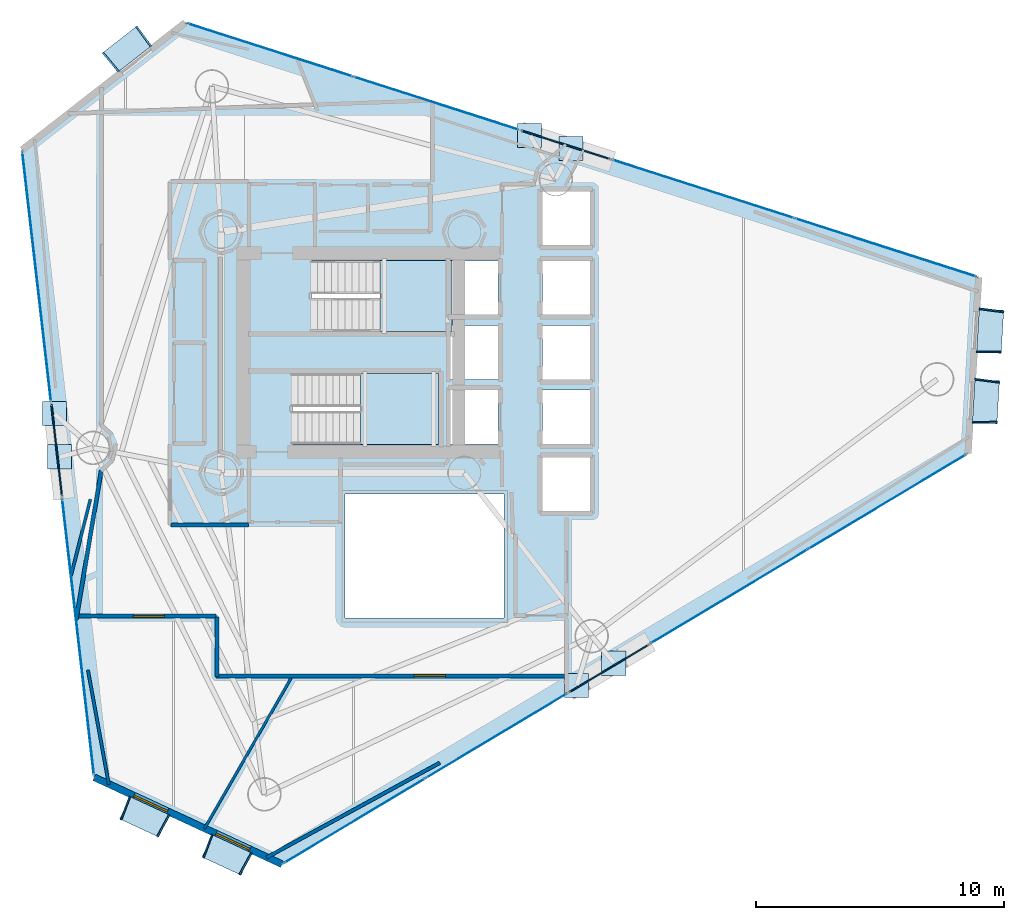
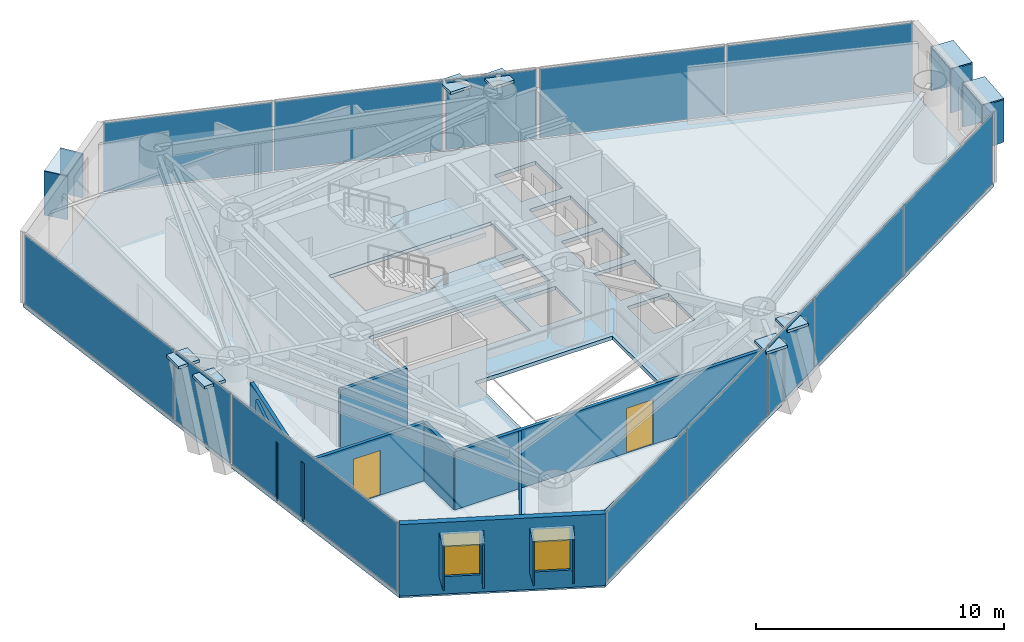
# One storey, part 17 of 22: 34 plates, 10 walls, 3 slabs, 2 doors, 2 windows, 4 openings, 11 elements without a shape of their own.
"""IFC4 building model written with IfcOpenShell, lengths in metres."""

import ifcopenshell
import ifcopenshell.guid

model = None  # the IFC model being written
_history = None  # IfcOwnerHistory: only IFC2X3 demands one
_inside = {}  # id of a spatial element -> (the spatial element, [elements in it])
_under = {}  # id of a project, library or spatial element -> (it, [spatial elements below it])
_declared = {}  # id of a project -> (the project, [libraries it declares])
_typed = {}  # id of a type object -> (the type object, [elements of that type])
_made_of = {}  # id of a material, layer set ... -> (it, [elements and type objects made of it])


def new_model(schema):
    """Start an empty IFC model of exactly this schema.

    Asked for "IFC4X3", IfcOpenShell would pick the latest addendum, in which some entities
    have other attributes; the version numbers below select the first issue.
    IFC2X3 requires an IfcOwnerHistory on every rooted entity: one is made here for all.
    """
    global model, _history
    if schema == "IFC4X3":
        model = ifcopenshell.file(schema_version=(4, 3, 0, 0))
    else:
        model = ifcopenshell.file(schema=schema)
    _inside.clear()
    _under.clear()
    _declared.clear()
    _typed.clear()
    _made_of.clear()
    _history = None
    if model.schema == "IFC2X3":
        org = make("IfcOrganization", Name="unknown")
        user = make(
            "IfcPersonAndOrganization",
            ThePerson=make("IfcPerson", FamilyName="unknown"),
            TheOrganization=org,
        )
        app = make(
            "IfcApplication",
            ApplicationDeveloper=org,
            Version="unknown",
            ApplicationFullName="unknown",
            ApplicationIdentifier="unknown",
        )
        _history = make(
            "IfcOwnerHistory",
            OwningUser=user,
            OwningApplication=app,
            ChangeAction="ADDED",
            CreationDate=0,
        )
    return model


def make(cls, **values):
    """One entity of the class cls with the attributes given. An attribute that is None is left unset."""
    return model.create_entity(
        cls, **{name: value for name, value in values.items() if value is not None}
    )


def rooted(cls, **values):
    """An entity with a GlobalId (a new one), such as an element, a storey or a relation."""
    return make(cls, GlobalId=ifcopenshell.guid.new(), OwnerHistory=_history, **values)


def si_unit(unit_type, name, prefix=None):
    """IfcSIUnit, for example si_unit("LENGTHUNIT", "METRE", prefix="MILLI")."""
    return make("IfcSIUnit", UnitType=unit_type, Prefix=prefix, Name=name)


def assignment(units):
    """IfcUnitAssignment: the units of a project."""
    return None if units is None else make("IfcUnitAssignment", Units=units)


def point(xyz):
    """IfcCartesianPoint."""
    return None if xyz is None else make("IfcCartesianPoint", Coordinates=xyz)


def direction(xyz):
    """IfcDirection."""
    return None if xyz is None else make("IfcDirection", DirectionRatios=xyz)


def frame(location, z_axis=None, x_axis=None):
    """IfcAxis2Placement3D, a coordinate frame: its origin and axes. An axis left out is left unset."""
    return make(
        "IfcAxis2Placement3D",
        Location=point(location),
        Axis=direction(z_axis),
        RefDirection=direction(x_axis),
    )


def frame_2d(location, x_axis=None):
    """IfcAxis2Placement2D, a coordinate frame in the plane: its origin and x axis."""
    return make(
        "IfcAxis2Placement2D", Location=point(location), RefDirection=direction(x_axis)
    )


def origin():
    """The frame at (0, 0, 0) with its axes left unset."""
    return frame((0.0, 0.0, 0.0))


def origin_2d():
    """The frame at (0, 0) in the plane with its x axis left unset."""
    return frame_2d((0.0, 0.0))


def place(relative_to, where):
    """IfcLocalPlacement: puts the frame where relative to a parent placement (None: the world)."""
    return make(
        "IfcLocalPlacement", PlacementRelTo=relative_to, RelativePlacement=where
    )


def context(
    kind, dimensions, precision=None, world=None, true_north=None, identifier=None
):
    """IfcGeometricRepresentationContext, for example the 3D "Model" context."""
    return make(
        "IfcGeometricRepresentationContext",
        ContextIdentifier=identifier,
        ContextType=kind,
        CoordinateSpaceDimension=dimensions,
        Precision=precision,
        WorldCoordinateSystem=world,
        TrueNorth=true_north,
    )


def subcontext(parent, identifier, kind, view, scale=None):
    """IfcGeometricRepresentationSubContext, for example "Body" below "Model"."""
    return make(
        "IfcGeometricRepresentationSubContext",
        ContextIdentifier=identifier,
        ContextType=kind,
        ParentContext=parent,
        TargetScale=scale,
        TargetView=view,
    )


def project(units=None, contexts=None):
    """IfcProject with its units and contexts."""
    return rooted(
        "IfcProject",
        Name="project",
        RepresentationContexts=contexts,
        UnitsInContext=assignment(units),
    )


def spatial(cls, under=None, at=None, **own):
    """A site, building, storey or space (cls), placed at a placement, below another one or the project."""
    s = rooted(cls, ObjectPlacement=at, **own)
    if under is not None:
        _under.setdefault(under.id(), (under, []))[1].append(s)
    return s


def polyline(points):
    """IfcPolyline through the points."""
    return make("IfcPolyline", Points=[point(p) for p in points])


def profile(cls, at=None, kind="AREA", **sizes):
    """A parametric profile (cls). Its sizes go by their IFC names, for example OverallWidth=200.0."""
    return make(cls, ProfileType=kind, Position=at, **sizes)


def rectangle(**sizes):
    """IfcRectangleProfileDef."""
    return profile("IfcRectangleProfileDef", **sizes)


def outline(outer, holes=None, kind="AREA"):
    """IfcArbitraryClosedProfileDef: a profile drawn as a closed curve; with holes, ...WithVoids."""
    if holes is None:
        return make("IfcArbitraryClosedProfileDef", ProfileType=kind, OuterCurve=outer)
    return make(
        "IfcArbitraryProfileDefWithVoids",
        ProfileType=kind,
        OuterCurve=outer,
        InnerCurves=holes,
    )


def extrude(swept, where, along, depth):
    """IfcExtrudedAreaSolid: the profile swept, set in the frame where, extruded along a direction by depth."""
    return make(
        "IfcExtrudedAreaSolid",
        SweptArea=swept,
        Position=where,
        ExtrudedDirection=direction(along),
        Depth=depth,
    )


def shape(context_of_items, identifier, shape_type, items):
    """IfcShapeRepresentation: the items that make up one representation, for example the "Body"."""
    return make(
        "IfcShapeRepresentation",
        ContextOfItems=context_of_items,
        RepresentationIdentifier=identifier,
        RepresentationType=shape_type,
        Items=items,
    )


def material(Name=None, Category=None):
    """IfcMaterial."""
    return make("IfcMaterial", Name=Name, Category=Category)


def layer(
    of_material, thickness, ventilated=None, Name=None, Category=None, Priority=None
):
    """IfcMaterialLayer: one layer of a wall or slab, of a material (None: an air gap)."""
    return make(
        "IfcMaterialLayer",
        Material=of_material,
        LayerThickness=thickness,
        IsVentilated=ventilated,
        Name=Name,
        Category=Category,
        Priority=Priority,
    )


def layer_set(layers, Name=None):
    """IfcMaterialLayerSet."""
    return make("IfcMaterialLayerSet", MaterialLayers=layers, LayerSetName=Name)


def made_of(thing, what):
    """Note that an element or type object is made of a material, layer set ...; save() writes the relation."""
    if what is not None:
        _made_of.setdefault(what.id(), (what, []))[1].append(thing)
    return thing


def type_object(cls, material=None, **own):
    """A type object (cls), such as IfcWallType, which elements share."""
    return made_of(rooted(cls, **own), material)


def element(
    cls,
    number,
    at=None,
    inside=None,
    cuts=None,
    type_object=None,
    material=None,
    context=None,
    identifier="Body",
    shape_type=None,
    held_by="IfcProductDefinitionShape",
    body=None,
    shapes=None,
    **own,
):
    """One element of the class cls, such as IfcWall. Its Tag is "e" and its number.

    at: its placement. inside: the storey or other place that contains it. cuts: it is an
    opening in that element (IfcRelVoidsElement). A single representation is given by context,
    identifier, shape_type and body (its items); several are given by shapes. held_by: the class
    of the entity that holds the representations. save() writes the other relations.
    """
    e = rooted(cls, Tag="e%d" % number, ObjectPlacement=at, **own)
    if body is not None:
        shapes = [shape(context, identifier, shape_type, body)]
    if shapes is not None:
        e.Representation = make(held_by, Representations=shapes)
    if inside is not None:
        _inside.setdefault(inside.id(), (inside, []))[1].append(e)
    if cuts is not None:
        rooted(
            "IfcRelVoidsElement", RelatingBuildingElement=cuts, RelatedOpeningElement=e
        )
    if type_object is not None:
        _typed.setdefault(type_object.id(), (type_object, []))[1].append(e)
    return made_of(e, material)


def fill(opening, filler):
    """IfcRelFillsElement: the door or window that sits in an opening."""
    return rooted(
        "IfcRelFillsElement",
        RelatingOpeningElement=opening,
        RelatedBuildingElement=filler,
    )


def aggregate(whole, parts):
    """IfcRelAggregates: a whole, such as a stair, and the parts it consists of."""
    return rooted("IfcRelAggregates", RelatingObject=whole, RelatedObjects=parts)


def save(model, path):
    """Write the relations noted so far, then the file.

    IfcRelAggregates (storeys below a building ...), IfcRelContainedInSpatialStructure (elements
    in a storey), IfcRelDefinesByType, IfcRelAssociatesMaterial and IfcRelDeclares: one each for
    every whole, place, type object, material and project.
    """
    for whole, parts in _under.values():
        aggregate(whole, parts)
    for where, things in _inside.values():
        rooted(
            "IfcRelContainedInSpatialStructure",
            RelatedElements=things,
            RelatingStructure=where,
        )
    for kind, things in _typed.values():
        rooted("IfcRelDefinesByType", RelatedObjects=things, RelatingType=kind)
    for what, things in _made_of.values():
        rooted("IfcRelAssociatesMaterial", RelatedObjects=things, RelatingMaterial=what)
    for by, libraries in _declared.values():
        rooted("IfcRelDeclares", RelatingContext=by, RelatedDefinitions=libraries)
    model.write(path)


model = new_model("IFC4")

# Units and contexts
model_context = context("Model", 3, precision=1e-05, world=origin(), true_north=direction((0.0, 1.0)))
body_context = subcontext(model_context, "Body", "Model", "MODEL_VIEW")
ifc_project = project(units=[si_unit("LENGTHUNIT", "METRE"), si_unit("AREAUNIT", "SQUARE_METRE"), si_unit("VOLUMEUNIT", "CUBIC_METRE"), si_unit("PLANEANGLEUNIT", "RADIAN"), si_unit("MASSUNIT", "GRAM", prefix="KILO")], contexts=[model_context])

# Site, building, storey
site_placement = place(None, origin())
site = spatial("IfcSite", under=ifc_project, at=site_placement, CompositionType="ELEMENT")
building_placement = place(site_placement, origin())
building = spatial("IfcBuilding", under=site, at=building_placement, Name="Qianvela Tower", CompositionType="ELEMENT")
storey_placement = place(building_placement, frame((0.0, 0.0, 173.5)))
storey = spatial("IfcBuildingStorey", under=building, at=storey_placement, Name="L44", CompositionType="ELEMENT", Elevation=173.5)

# Curtain wall, plate
ifc_material_1 = material(Name="Anodised Architectural Aluminium and Insulated Spandrel Panel", Category="aluminium")
ifc_layer_1 = layer(ifc_material_1, 0.179931640625)
ifc_layer_set_1 = layer_set([ifc_layer_1], Name="Anodised Architectural Aluminium and Insulated Spandrel Panel")
curtain_wall_type_1 = type_object("IfcCurtainWallType", Name="CW-BRACEBAY", PredefinedType="USERDEFINED", material=ifc_layer_set_1)
curtain_wall_1_placement = place(storey_placement, origin())
curtain_wall_1 = element("IfcCurtainWall", 1, at=curtain_wall_1_placement, inside=storey, type_object=curtain_wall_type_1, Name="L44 CW-BRACEBAY Curtain Wall 02B", ObjectType="CURTAIN_WALL_SYSTEM", PredefinedType="USERDEFINED")
ifc_material_2 = material(Name="Insulated Aluminium Spandrel Panel with Mineral-Wool Backpan", Category="aluminium")
ifc_layer_2 = layer(ifc_material_2, 0.06005859375)
ifc_layer_set_2 = layer_set([ifc_layer_2], Name="Insulated Aluminium Spandrel Panel with Mineral-Wool Backpan")
plate_type_1 = type_object("IfcPlateType", Name="CW-BRACEBAY-PNL", PredefinedType="CURTAIN_PANEL", material=ifc_layer_set_2)
plate_1_placement = place(storey_placement, frame((42.47607421875, 37.06005859375, 0.06494140625), z_axis=(0.0, 0.0, 1.0), x_axis=(-0.95216638575, 0.305580061272, 0.0)))
plate_1 = element("IfcPlate", 2, at=plate_1_placement, type_object=plate_type_1, Name="CW-9 panel 1.1", PredefinedType="CURTAIN_PANEL", context=body_context, shape_type="SweptSolid", body=[
    extrude(rectangle(XDim=3.739990234375, YDim=0.06005859375, at=origin_2d()), origin(), (0.0, 0.0, 1.0), 3.389892578125),
])
aggregate(curtain_wall_1, [plate_1])

curtain_wall_2_placement = place(storey_placement, origin())
curtain_wall_2 = element("IfcCurtainWall", 3, at=curtain_wall_2_placement, inside=storey, type_object=curtain_wall_type_1, Name="L44 CW-BRACEBAY Curtain Wall 04B", ObjectType="CURTAIN_WALL_SYSTEM", PredefinedType="USERDEFINED")
plate_2_placement = place(storey_placement, frame((21.983642578125, 24.76513671875, 0.06494140625), z_axis=(0.0, 0.0, 1.0), x_axis=(0.114243553211, -0.993452772179, 0.0)))
plate_2 = element("IfcPlate", 4, at=plate_2_placement, type_object=plate_type_1, Name="CW-9 panel 1.1", PredefinedType="CURTAIN_PANEL", context=body_context, shape_type="SweptSolid", body=[
    extrude(rectangle(XDim=3.7099609375, YDim=0.06005859375, at=origin_2d()), origin(), (0.0, 0.0, 1.0), 3.389892578125),
])
aggregate(curtain_wall_2, [plate_2])

curtain_wall_3_placement = place(storey_placement, origin())
curtain_wall_3 = element("IfcCurtainWall", 5, at=curtain_wall_3_placement, inside=storey, type_object=curtain_wall_type_1, Name="L44 CW-BRACEBAY Curtain Wall 06B", ObjectType="CURTAIN_WALL_SYSTEM", PredefinedType="USERDEFINED")
plate_3_placement = place(storey_placement, frame((44.220947265625, 15.977294921875, 0.06494140625), z_axis=(0.0, 0.0, 1.0), x_axis=(0.857953335146, 0.51372762697, 0.0)))
plate_3 = element("IfcPlate", 6, at=plate_3_placement, type_object=plate_type_1, Name="CW-9 panel 1.1", PredefinedType="CURTAIN_PANEL", context=body_context, shape_type="SweptSolid", body=[
    extrude(rectangle(XDim=3.699951171875, YDim=0.06005859375, at=origin_2d()), origin(), (0.0, 0.0, 1.0), 3.389892578125),
])
aggregate(curtain_wall_3, [plate_3])

# Curtain wall, plates
ifc_material_3 = material(Name="Anodised Architectural Aluminium and Low-E Glass", Category="aluminium")
ifc_layer_3 = layer(ifc_material_3, 0.169921875)
ifc_layer_set_3 = layer_set([ifc_layer_3], Name="Anodised Architectural Aluminium and Low-E Glass")
curtain_wall_type_2 = type_object("IfcCurtainWallType", Name="CW-COLIV-Z34", PredefinedType="USERDEFINED", material=ifc_layer_set_3)
curtain_wall_4_placement = place(storey_placement, origin())
curtain_wall_4 = element("IfcCurtainWall", 7, at=curtain_wall_4_placement, inside=storey, type_object=curtain_wall_type_2, Name="L44 CW-COLIV-Z34 Curtain Wall 02A", ObjectType="CURTAIN_WALL_SYSTEM", PredefinedType="USERDEFINED")
ifc_material_4 = material(Name="Double-Silver Low-E Insulated Glass", Category="glass")
ifc_layer_4 = layer(ifc_material_4, 0.028076171875)
ifc_layer_set_4 = layer_set([ifc_layer_4], Name="Double-Silver Low-E Insulated Glass")
plate_type_2 = type_object("IfcPlateType", Name="CW-COLIV-Z34-PNL", PredefinedType="CURTAIN_PANEL", material=ifc_layer_set_4)
plate_4_placement = place(storey_placement, frame((55.357666015625, 32.926025390625, 0.06494140625), z_axis=(0.0, 0.0, 1.0), x_axis=(-0.952167662126, 0.305576084145, 0.0)))
plate_4 = element("IfcPlate", 8, at=plate_4_placement, type_object=plate_type_2, Name="CW-4 panel 1.1", PredefinedType="CURTAIN_PANEL", context=body_context, shape_type="SweptSolid", body=[
    extrude(rectangle(XDim=7.642578125, YDim=0.028076171875, at=origin_2d()), origin(), (0.0, 0.0, 1.0), 3.389892578125),
])
plate_5_placement = place(storey_placement, frame((48.01904296875, 35.28125, 0.06494140625), z_axis=(0.0, 0.0, 1.0), x_axis=(-0.952167662126, 0.305576084145, 0.0)))
plate_5 = element("IfcPlate", 9, at=plate_5_placement, type_object=plate_type_2, Name="CW-4 panel 2.1", PredefinedType="CURTAIN_PANEL", context=body_context, shape_type="SweptSolid", body=[
    extrude(rectangle(XDim=7.642578125, YDim=0.028076171875, at=origin_2d()), origin(), (0.0, 0.0, 1.0), 3.389892578125),
])
aggregate(curtain_wall_4, [plate_4, plate_5])

curtain_wall_5_placement = place(storey_placement, origin())
curtain_wall_5 = element("IfcCurtainWall", 10, at=curtain_wall_5_placement, inside=storey, type_object=curtain_wall_type_2, Name="L44 CW-COLIV-Z34 Curtain Wall 02C", ObjectType="CURTAIN_WALL_SYSTEM", PredefinedType="USERDEFINED")
plate_6_placement = place(storey_placement, frame((37.261474609375, 38.733642578125, 0.06494140625), z_axis=(0.0, 0.0, 1.0), x_axis=(-0.952166738862, 0.305578960999, 0.0)))
plate_6 = element("IfcPlate", 11, at=plate_6_placement, type_object=plate_type_2, Name="CW-4 panel 1.1", PredefinedType="CURTAIN_PANEL", context=body_context, shape_type="SweptSolid", body=[
    extrude(rectangle(XDim=6.953125, YDim=0.028076171875, at=origin_2d()), origin(), (0.0, 0.0, 1.0), 3.389892578125),
])
plate_7_placement = place(storey_placement, frame((30.5791015625, 40.878173828125, 0.06494140625), z_axis=(0.0, 0.0, 1.0), x_axis=(-0.952166738862, 0.305578960999, 0.0)))
plate_7 = element("IfcPlate", 12, at=plate_7_placement, type_object=plate_type_2, Name="CW-4 panel 2.1", PredefinedType="CURTAIN_PANEL", context=body_context, shape_type="SweptSolid", body=[
    extrude(rectangle(XDim=6.953125, YDim=0.028076171875, at=origin_2d()), origin(), (0.0, 0.0, 1.0), 3.389892578125),
])
aggregate(curtain_wall_5, [plate_6, plate_7])

# Curtain wall, plate
curtain_wall_6_placement = place(storey_placement, origin())
curtain_wall_6 = element("IfcCurtainWall", 13, at=curtain_wall_6_placement, inside=storey, type_object=curtain_wall_type_2, Name="L44 CW-COLIV-Z34 Curtain Wall 04A", ObjectType="CURTAIN_WALL_SYSTEM", PredefinedType="USERDEFINED")
plate_8_placement = place(storey_placement, frame((21.181640625, 31.7392578125, 0.06494140625), z_axis=(0.0, 0.0, 1.0), x_axis=(0.114245281235, -0.993452573461, 0.0)))
plate_8 = element("IfcPlate", 14, at=plate_8_placement, type_object=plate_type_2, Name="CW-4 panel 1.1", PredefinedType="CURTAIN_PANEL", context=body_context, shape_type="SweptSolid", body=[
    extrude(rectangle(XDim=10.070068359375, YDim=0.028076171875, at=origin_2d()), origin(), (0.0, 0.0, 1.0), 3.389892578125),
])
aggregate(curtain_wall_6, [plate_8])

curtain_wall_7_placement = place(storey_placement, origin())
curtain_wall_7 = element("IfcCurtainWall", 15, at=curtain_wall_7_placement, inside=storey, type_object=curtain_wall_type_2, Name="L44 CW-COLIV-Z34 Curtain Wall 04C", ObjectType="CURTAIN_WALL_SYSTEM", PredefinedType="USERDEFINED")
plate_9_placement = place(storey_placement, frame((22.847900390625, 17.248779296875, 0.06494140625), z_axis=(0.0, 0.0, 1.0), x_axis=(0.114242914909, -0.993452845581, 0.0)))
plate_9 = element("IfcPlate", 16, at=plate_9_placement, type_object=plate_type_2, Name="CW-4 panel 1.1", PredefinedType="CURTAIN_PANEL", context=body_context, shape_type="SweptSolid", body=[
    extrude(rectangle(XDim=11.16162109375, YDim=0.028076171875, at=origin_2d()), origin(), (0.0, 0.0, 1.0), 3.389892578125),
])
aggregate(curtain_wall_7, [plate_9])

# Curtain wall, plates
curtain_wall_8_placement = place(storey_placement, origin())
curtain_wall_8 = element("IfcCurtainWall", 17, at=curtain_wall_8_placement, inside=storey, type_object=curtain_wall_type_2, Name="L44 CW-COLIV-Z34 Curtain Wall 06A", ObjectType="CURTAIN_WALL_SYSTEM", PredefinedType="USERDEFINED")
plate_10_placement = place(storey_placement, frame((33.982421875, 9.8466796875, 0.06494140625), z_axis=(0.0, 0.0, 1.0), x_axis=(0.85794695813, 0.513738276787, 0.0)))
plate_10 = element("IfcPlate", 18, at=plate_10_placement, type_object=plate_type_2, Name="CW-4 panel 1.1", PredefinedType="CURTAIN_PANEL", context=body_context, shape_type="SweptSolid", body=[
    extrude(rectangle(XDim=6.592529296875, YDim=0.028076171875, at=origin_2d()), origin(), (0.0, 0.0, 1.0), 3.389892578125),
])
plate_11_placement = place(storey_placement, frame((39.694091796875, 13.266845703125, 0.06494140625), z_axis=(0.0, 0.0, 1.0), x_axis=(0.85794695813, 0.513738276787, 0.0)))
plate_11 = element("IfcPlate", 19, at=plate_11_placement, type_object=plate_type_2, Name="CW-4 panel 2.1", PredefinedType="CURTAIN_PANEL", context=body_context, shape_type="SweptSolid", body=[
    extrude(rectangle(XDim=6.592529296875, YDim=0.028076171875, at=origin_2d()), origin(), (0.0, 0.0, 1.0), 3.389892578125),
])
aggregate(curtain_wall_8, [plate_10, plate_11])

curtain_wall_9_placement = place(storey_placement, origin())
curtain_wall_9 = element("IfcCurtainWall", 20, at=curtain_wall_9_placement, inside=storey, type_object=curtain_wall_type_2, Name="L44 CW-COLIV-Z34 Curtain Wall 06C", ObjectType="CURTAIN_WALL_SYSTEM", PredefinedType="USERDEFINED")
plate_12_placement = place(storey_placement, frame((49.0703125, 18.881103515625, 0.06494140625), z_axis=(0.0, 0.0, 1.0), x_axis=(0.857948464109, 0.513735761782, 0.0)))
plate_12 = element("IfcPlate", 21, at=plate_12_placement, type_object=plate_type_2, Name="CW-4 panel 1.1", PredefinedType="CURTAIN_PANEL", context=body_context, shape_type="SweptSolid", body=[
    extrude(rectangle(XDim=7.344482421875, YDim=0.028076171875, at=origin_2d()), origin(), (0.0, 0.0, 1.0), 3.389892578125),
])
plate_13_placement = place(storey_placement, frame((55.42724609375, 22.687744140625, 0.06494140625), z_axis=(0.0, 0.0, 1.0), x_axis=(0.857948464109, 0.513735761782, 0.0)))
plate_13 = element("IfcPlate", 22, at=plate_13_placement, type_object=plate_type_2, Name="CW-4 panel 2.1", PredefinedType="CURTAIN_PANEL", context=body_context, shape_type="SweptSolid", body=[
    extrude(rectangle(XDim=7.344482421875, YDim=0.028076171875, at=origin_2d()), origin(), (0.0, 0.0, 1.0), 3.389892578125),
])
aggregate(curtain_wall_9, [plate_12, plate_13])

# Plates
ifc_material_5 = material(Name="Steel Q420GJC", Category="steel")
ifc_layer_5 = layer(ifc_material_5, 0.1298828125)
ifc_layer_set_5 = layer_set([ifc_layer_5], Name="Steel Q420GJC")
plate_type_3 = type_object("IfcPlateType", Name="PT-ENDCAP-130", PredefinedType="USERDEFINED", material=ifc_layer_set_5)
for number, where, z_axis, x_axis, name in (
    (23, (42.690185546875, 36.907470703125, 3.20947265625), (0.0, 0.0, 1.0), (1.0, 0.0, 0.0), "L44 Hollow Section End Cap Plate B"),
    (24, (41.021240234375, 37.443115234375, 3.20947265625), (0.0, 0.0, 1.0), (1.0, 0.0, 0.0), "L44 Hollow Section End Cap Plate B"),
    (25, (21.89404296875, 26.2431640625, 3.209716796875), (0.0, 0.0, 1.0), (1.0, 0.0, 0.0), "L44 Hollow Section End Cap Plate B"),
    (26, (22.09423828125, 24.501953125, 3.209716796875), (0.0, 0.0, 1.0), (1.0, 0.0, 0.0), "L44 Hollow Section End Cap Plate B"),
    (27, (42.909423828125, 15.285400390625, 3.209716796875), (0.0, 0.0, 1.0), (1.0, 0.0, 0.0), "L44 Hollow Section End Cap Plate B"),
    (28, (44.4130859375, 16.185791015625, 3.209716796875), (0.0, 0.0, 1.0), (1.0, 0.0, 0.0), "L44 Hollow Section End Cap Plate B"),
):
    element("IfcPlate", number, at=place(storey_placement, frame(where, z_axis=z_axis, x_axis=x_axis)), inside=storey, type_object=plate_type_3, Name=name, ObjectType="END_CAP", PredefinedType="USERDEFINED", context=body_context, shape_type="SweptSolid", body=[
        extrude(rectangle(XDim=0.969970703125, YDim=0.969970703125, at=origin_2d()), origin(), (0.0, 0.0, 1.0), 0.1298828125),
    ])

# Slab
ifc_material_6 = material(Name="Concrete C40", Category="concrete")
ifc_layer_6 = layer(ifc_material_6, 0.179931640625)
ifc_layer_set_6 = layer_set([ifc_layer_6], Name="Concrete C40")
slab_type_1 = type_object("IfcSlabType", Name="SL-FLOOR-180", PredefinedType="FLOOR", material=ifc_layer_set_6)
slab_1_placement = place(storey_placement, frame((0.0, 0.0, -0.179931640625)))
element("IfcSlab", 29, at=slab_1_placement, inside=storey, type_object=slab_type_1, Name="L44 Composite Structural Floor Slab", PredefinedType="FLOOR", context=body_context, shape_type="SweptSolid", body=[
    extrude(outline(polyline([(58.676513671875, 24.63330078125), (59.105712890625, 31.72314453125), (27.159423828125, 41.9755859375), (20.59326171875, 36.85546875), (23.49853515625, 11.590087890625), (31.0556640625, 8.093994140625), (58.676513671875, 24.63330078125)]), holes=[polyline([(40.0, 23.0), (33.60009765625, 23.0), (33.60009765625, 18.0), (40.0, 18.0), (40.0, 23.0)]), polyline([(39.760009765625, 27.179931640625), (37.840087890625, 27.179931640625), (37.840087890625, 25.02001953125), (39.760009765625, 25.02001953125), (39.760009765625, 27.179931640625)]), polyline([(37.35009765625, 27.860107421875), (31.469970703125, 27.860107421875), (31.469970703125, 25.0), (37.35009765625, 25.0), (37.35009765625, 27.860107421875)]), polyline([(37.840087890625, 27.6201171875), (39.760009765625, 27.6201171875), (39.760009765625, 29.780029296875), (37.89990234375, 29.780029296875), (37.89990234375, 30.219970703125), (39.760009765625, 30.219970703125), (39.760009765625, 32.3798828125), (37.89990234375, 32.3798828125), (37.89990234375, 32.39990234375), (32.25, 32.39990234375), (32.25, 29.5400390625), (37.840087890625, 29.5400390625), (37.840087890625, 27.6201171875)]), polyline([(43.4599609375, 22.320068359375), (43.4599609375, 24.47998046875), (41.5400390625, 24.47998046875), (41.5400390625, 22.320068359375), (43.4599609375, 22.320068359375)]), polyline([(43.4599609375, 25.02001953125), (43.4599609375, 27.179931640625), (41.5400390625, 27.179931640625), (41.5400390625, 25.02001953125), (43.4599609375, 25.02001953125)]), polyline([(43.4599609375, 29.780029296875), (41.5400390625, 29.780029296875), (41.5400390625, 27.6201171875), (43.4599609375, 27.6201171875), (43.4599609375, 29.780029296875)]), polyline([(43.4599609375, 30.219970703125), (43.4599609375, 32.3798828125), (41.5400390625, 32.3798828125), (41.5400390625, 30.219970703125), (43.4599609375, 30.219970703125)]), polyline([(43.4599609375, 33.02001953125), (43.4599609375, 35.179931640625), (41.5400390625, 35.179931640625), (41.5400390625, 33.02001953125), (43.4599609375, 33.02001953125)])]), origin(), (0.0, 0.0, 1.0), 0.179931640625),
])

# Stair, slab
ifc_material_7 = material(Name="Concrete C40", Category="concrete")
stair_type = type_object("IfcStairType", Name="ST-DOGLEG-1350-R168-N22", PredefinedType="HALF_TURN_STAIR", material=ifc_material_7)
stair_1_placement = place(storey_placement, origin())
stair_1 = element("IfcStair", 30, at=stair_1_placement, inside=storey, type_object=stair_type, Name="L44 Smoke-Proof Core Stair ST-1", PredefinedType="HALF_TURN_STAIR")
ifc_material_8 = material(Name="Concrete C40", Category="concrete")
ifc_layer_7 = layer(ifc_material_8, 0.199951171875)
ifc_layer_set_7 = layer_set([ifc_layer_7], Name="Concrete C40")
slab_type_2 = type_object("IfcSlabType", Name="SL-STAIR-LANDING-200", PredefinedType="LANDING", material=ifc_layer_set_7)
slab_2_placement = place(storey_placement, frame((0.0, 0.0, 1.64990234375)))
slab_2 = element("IfcSlab", 31, at=slab_2_placement, type_object=slab_type_2, Name="ST-1 landing 1", PredefinedType="LANDING", context=body_context, shape_type="SweptSolid", body=[
    extrude(outline(polyline([(35.0, 29.5400390625), (37.89990234375, 29.5400390625), (37.89990234375, 32.39990234375), (35.0, 32.39990234375), (35.0, 29.5400390625)])), origin(), (0.0, 0.0, 1.0), 0.2001953125),
])
aggregate(stair_1, [slab_2])

stair_2_placement = place(storey_placement, origin())
stair_2 = element("IfcStair", 32, at=stair_2_placement, inside=storey, type_object=stair_type, Name="L44 Smoke-Proof Core Stair ST-2", PredefinedType="HALF_TURN_STAIR")
slab_3_placement = place(storey_placement, frame((0.0, 0.0, 1.64990234375)))
slab_3 = element("IfcSlab", 33, at=slab_3_placement, type_object=slab_type_2, Name="ST-2 landing 1", PredefinedType="LANDING", context=body_context, shape_type="SweptSolid", body=[
    extrude(outline(polyline([(34.219970703125, 25.0), (37.35009765625, 25.0), (37.35009765625, 27.860107421875), (34.219970703125, 27.860107421875), (34.219970703125, 25.0)])), origin(), (0.0, 0.0, 1.0), 0.2001953125),
])
aggregate(stair_2, [slab_3])

# Plates
ifc_material_9 = material(Name="Vitrified Architectural Terracotta Panel", Category="masonry")
ifc_layer_8 = layer(ifc_material_9, 0.06005859375)
ifc_layer_set_8 = layer_set([ifc_layer_8], Name="Vitrified Architectural Terracotta Panel")
plate_type_4 = type_object("IfcPlateType", Name="TERRACOTTA-SUNSHADE-HOOD-FOLD-A", PredefinedType="USERDEFINED", material=ifc_layer_set_8)
for number, where, z_axis, x_axis, name in (
    (34, (59.399169921875, 26.724365234375, 2.9599609375), (0.0, 0.0, 1.0), (0.060412670231, 0.998173486562, 0.0), "L44 Terracotta Sunshade Hood FOLD-A"),
    (35, (59.57080078125, 29.560302734375, 2.9599609375), (0.0, 0.0, 1.0), (0.060412670231, 0.998173486562, 0.0), "L44 Terracotta Sunshade Hood FOLD-A"),
    (36, (25.515869140625, 10.00146484375, 2.9599609375), (0.0, 0.0, 1.0), (0.907584112531, -0.41987031174, 0.0), "L44 Terracotta Sunshade Hood FOLD-A"),
    (37, (28.8291015625, 8.468505859375, 2.9599609375), (0.0, 0.0, 1.0), (0.907584112531, -0.41987031174, 0.0), "L44 Terracotta Sunshade Hood FOLD-A"),
):
    element("IfcPlate", number, at=place(storey_placement, frame(where, z_axis=z_axis, x_axis=x_axis)), inside=storey, type_object=plate_type_4, Name=name, ObjectType="SUNSHADE", PredefinedType="USERDEFINED", context=body_context, shape_type="SweptSolid", body=[
        extrude(rectangle(XDim=1.739990234375, YDim=0.989990234375, at=origin_2d()), origin(), (0.0, 0.0, 1.0), 0.06005859375),
    ])
ifc_material_10 = material(Name="Vitrified Architectural Terracotta Panel", Category="masonry")
ifc_layer_9 = layer(ifc_material_10, 0.070068359375)
ifc_layer_set_9 = layer_set([ifc_layer_9], Name="Vitrified Architectural Terracotta Panel")
plate_type_5 = type_object("IfcPlateType", Name="TERRACOTTA-SUNSHADE-HOOD-FOLD-C", PredefinedType="USERDEFINED", material=ifc_layer_set_9)
plate_14_placement = place(storey_placement, frame((24.82373046875, 40.908935546875, 2.9599609375), z_axis=(0.0, 0.0, 1.0), x_axis=(-0.78859065081, -0.614918519362, 0.0)))
element("IfcPlate", 38, at=plate_14_placement, inside=storey, type_object=plate_type_5, Name="L44 Terracotta Sunshade Hood FOLD-C", ObjectType="SUNSHADE", PredefinedType="USERDEFINED", context=body_context, shape_type="SweptSolid", body=[
    extrude(rectangle(XDim=1.739990234375, YDim=0.989990234375, at=origin_2d()), origin(), (0.0, 0.0, 1.0), 0.06005859375),
])
ifc_material_11 = material(Name="Vitrified Architectural Terracotta Side Fin Panel", Category="masonry")
ifc_layer_10 = layer(ifc_material_11, 0.06494140625)
ifc_layer_set_10 = layer_set([ifc_layer_10], Name="Vitrified Architectural Terracotta Side Fin Panel")
plate_type_6 = type_object("IfcPlateType", Name="TERRACOTTA-SUNSHADE-STRUT-FOLD-A", PredefinedType="USERDEFINED", material=ifc_layer_set_10)
for number, where, z_axis, x_axis, name in (
    (39, (59.348388671875, 25.885986328125, 0.85009765625), (0.0, 0.0, 1.0), (-0.009363554605, 0.999956160962, 0.0), "L44 Terracotta Sunshade Side Fin HL FOLD-A"),
    (40, (59.449951171875, 27.56298828125, 0.85009765625), (0.0, 0.0, 1.0), (0.12989457061, 0.991527811272, 0.0), "L44 Terracotta Sunshade Side Fin HR FOLD-A"),
    (41, (59.52001953125, 28.7216796875, 0.85009765625), (0.0, 0.0, 1.0), (-0.009363554605, 0.999956160962, 0.0), "L44 Terracotta Sunshade Side Fin HL FOLD-A"),
    (42, (59.62158203125, 30.398681640625, 0.85009765625), (0.0, 0.0, 1.0), (0.12989457061, 0.991527811272, 0.0), "L44 Terracotta Sunshade Side Fin HR FOLD-A"),
    (43, (24.75341796875, 10.35400390625, 0.85009765625), (0.0, 0.0, 1.0), (0.934661955625, -0.355537661447, 0.0), "L44 Terracotta Sunshade Side Fin HL FOLD-A"),
    (44, (26.2783203125, 9.648681640625, 0.85009765625), (0.0, 0.0, 1.0), (0.876084610871, -0.48215739608, 0.0), "L44 Terracotta Sunshade Side Fin HR FOLD-A"),
    (45, (28.06689453125, 8.8212890625, 0.85009765625), (0.0, 0.0, 1.0), (0.934661955625, -0.355537661447, 0.0), "L44 Terracotta Sunshade Side Fin HL FOLD-A"),
    (46, (29.591552734375, 8.115966796875, 0.85009765625), (0.0, 0.0, 1.0), (0.876084610871, -0.48215739608, 0.0), "L44 Terracotta Sunshade Side Fin HR FOLD-A"),
):
    element("IfcPlate", number, at=place(storey_placement, frame(where, z_axis=z_axis, x_axis=x_axis)), inside=storey, type_object=plate_type_6, Name=name, ObjectType="SUNSHADE", PredefinedType="USERDEFINED", context=body_context, shape_type="SweptSolid", body=[
        extrude(rectangle(XDim=0.06494140625, YDim=1.010009765625, at=origin_2d()), origin(), (0.0, 0.0, 1.0), 2.159912109375),
    ])
ifc_material_12 = material(Name="Vitrified Architectural Terracotta Side Fin Panel", Category="masonry")
ifc_layer_11 = layer(ifc_material_12, 0.074951171875)
ifc_layer_set_11 = layer_set([ifc_layer_11], Name="Vitrified Architectural Terracotta Side Fin Panel")
plate_type_7 = type_object("IfcPlateType", Name="TERRACOTTA-SUNSHADE-STRUT-FOLD-C", PredefinedType="USERDEFINED", material=ifc_layer_set_11)
for number, where, z_axis, x_axis, name in (
    (47, (25.486083984375, 41.42529296875, 0.85009765625), (0.0, 0.0, 1.0), (-0.809570609532, -0.587022510797, 0.0), "L44 Terracotta Sunshade Side Fin HL FOLD-C"),
    (48, (24.161376953125, 40.392333984375, 0.85009765625), (0.0, 0.0, 1.0), (-0.766649915854, -0.642065344432, 0.0), "L44 Terracotta Sunshade Side Fin HR FOLD-C"),
):
    element("IfcPlate", number, at=place(storey_placement, frame(where, z_axis=z_axis, x_axis=x_axis)), inside=storey, type_object=plate_type_7, Name=name, ObjectType="SUNSHADE", PredefinedType="USERDEFINED", context=body_context, shape_type="SweptSolid", body=[
        extrude(rectangle(XDim=0.074951171875, YDim=1.010009765625, at=origin_2d()), origin(), (0.0, 0.0, 1.0), 2.159912109375),
    ])

# Wall, openings, windows
ifc_material_13 = material(Name="Terracotta Cladding on Concrete C40", Category="masonry")
ifc_layer_12 = layer(ifc_material_13, 0.280029296875)
ifc_layer_set_12 = layer_set([ifc_layer_12], Name="Terracotta Cladding on Concrete C40")
wall_type_1 = type_object("IfcWallType", Name="TERRACOTTA-WALL-280", PredefinedType="SOLIDWALL", material=ifc_layer_set_12)
wall_1_placement = place(storey_placement, frame((23.49853515625, 11.590087890625, 0.0), z_axis=(0.0, 0.0, 1.0), x_axis=(0.907584865188, -0.419868684806, 0.0)))
wall_1 = element("IfcWall", 49, at=wall_1_placement, inside=storey, type_object=wall_type_1, Name="L44 Terracotta Chamfer Facet Wall 5", PredefinedType="SOLIDWALL", context=body_context, shape_type="SweptSolid", body=[
    extrude(rectangle(XDim=8.32666015625, YDim=0.280029296875, at=frame_2d((4.163330078125, 0.0))), origin(), (0.0, 0.0, 1.0), 3.52001953125),
])
opening_1_placement = place(wall_1_placement, frame((1.748046875, 0.0, 0.85009765625)))
opening_1 = element("IfcOpeningElement", 50, at=opening_1_placement, cuts=wall_1, Name="Opening W-02", PredefinedType="OPENING", context=body_context, shape_type="SweptSolid", body=[
    extrude(rectangle(XDim=1.5, YDim=2.10009765625, at=frame_2d((0.75, 1.050048828125))), frame((0.0, 0.14990234375, 0.0), z_axis=(0.0, -1.0, 0.0), x_axis=(1.0, 0.0, 0.0)), (0.0, 0.0, 1.0), 0.300048828125),
])
opening_2_placement = place(wall_1_placement, frame((5.398681640625, 0.0, 0.85009765625)))
opening_2 = element("IfcOpeningElement", 51, at=opening_2_placement, cuts=wall_1, Name="Opening W-02", PredefinedType="OPENING", context=body_context, shape_type="SweptSolid", body=[
    extrude(rectangle(XDim=1.5, YDim=2.10009765625, at=frame_2d((0.75, 1.050048828125))), frame((0.0, 0.14990234375, 0.0), z_axis=(0.0, -1.0, 0.0), x_axis=(1.0, 0.0, 0.0)), (0.0, 0.0, 1.0), 0.300048828125),
])
ifc_material_14 = material(Name="Thermally Broken Aluminium and Low-E Glass", Category="aluminium")
window_type = type_object("IfcWindowType", Name="WIN-TC-1500x2100", PartitioningType="DOUBLE_PANEL_VERTICAL", PredefinedType="WINDOW", material=ifc_material_14)
window_1_placement = place(opening_1_placement, origin())
window_1 = element("IfcWindow", 52, at=window_1_placement, inside=storey, type_object=window_type, Name="L44 Chamfer Facet Window 5.1", OverallHeight=2.10009765625, OverallWidth=1.5, PartitioningType="SINGLE_PANEL", PredefinedType="WINDOW", context=body_context, shape_type="SweptSolid", body=[
    extrude(rectangle(XDim=1.5, YDim=2.10009765625, at=frame_2d((0.75, 1.050048828125))), frame((0.0, 0.030029296875, 0.0), z_axis=(0.0, -1.0, 0.0), x_axis=(1.0, 0.0, 0.0)), (0.0, 0.0, 1.0), 0.06005859375),
])
fill(opening_1, window_1)
window_2_placement = place(opening_2_placement, origin())
window_2 = element("IfcWindow", 53, at=window_2_placement, inside=storey, type_object=window_type, Name="L44 Chamfer Facet Window 5.2", OverallHeight=2.10009765625, OverallWidth=1.5, PartitioningType="SINGLE_PANEL", PredefinedType="WINDOW", context=body_context, shape_type="SweptSolid", body=[
    extrude(rectangle(XDim=1.5, YDim=2.10009765625, at=frame_2d((0.75, 1.050048828125))), frame((0.0, 0.030029296875, 0.0), z_axis=(0.0, -1.0, 0.0), x_axis=(1.0, 0.0, 0.0)), (0.0, 0.0, 1.0), 0.06005859375),
])
fill(opening_2, window_2)

# Wall
ifc_material_15 = material(Name="Fire-Rated Gypsum and Concrete Block", Category="concrete")
ifc_layer_13 = layer(ifc_material_15, 0.159912109375)
ifc_layer_set_13 = layer_set([ifc_layer_13], Name="Fire-Rated Gypsum and Concrete Block")
wall_type_2 = type_object("IfcWallType", Name="WT-CORR-160", PredefinedType="PARTITIONING", material=ifc_layer_set_13)
wall_2_placement = place(storey_placement, frame((26.580078125, 21.7490234375, 0.0), z_axis=(0.0, 0.0, 1.0), x_axis=(1.0, 0.0, 0.0)))
element("IfcWall", 54, at=wall_2_placement, inside=storey, type_object=wall_type_2, Name="L44 Partition 58 seg 1", PredefinedType="PARTITIONING", context=body_context, shape_type="SweptSolid", body=[
    extrude(rectangle(XDim=3.119873046875, YDim=0.159912109375, at=frame_2d((1.56005859375, 0.0))), origin(), (0.0, 0.0, 1.0), 2.840087890625),
])

# Wall, opening, door
wall_3_placement = place(storey_placement, frame((43.745849609375, 15.680908203125, 0.0), z_axis=(0.0, 0.0, 1.0), x_axis=(-1.0, 0.0, 0.0)))
wall_3 = element("IfcWall", 55, at=wall_3_placement, inside=storey, type_object=wall_type_2, Name="L44 Partition 61", PredefinedType="PARTITIONING", context=body_context, shape_type="SweptSolid", body=[
    extrude(rectangle(XDim=15.345947265625, YDim=0.159912109375, at=frame_2d((7.6728515625, 0.0))), origin(), (0.0, 0.0, 1.0), 2.840087890625),
])
opening_3_placement = place(wall_3_placement, frame((6.115478515625, 0.0, 0.0)))
opening_3 = element("IfcOpeningElement", 56, at=opening_3_placement, cuts=wall_3, Name="Opening D-LG1", PredefinedType="OPENING", context=body_context, shape_type="SweptSolid", body=[
    extrude(rectangle(XDim=1.25, YDim=2.199951171875, at=frame_2d((0.625, 1.10009765625))), frame((0.0, 0.08984375, 0.0), z_axis=(0.0, -1.0, 0.0), x_axis=(1.0, 0.0, 0.0)), (0.0, 0.0, 1.0), 0.179931640625),
])
ifc_material_16 = material(Name="Anodised Aluminium Acoustic Glass Door", Category="aluminium")
door_type = type_object("IfcDoorType", Name="DT-LOUNGE-1250", OperationType="NOTDEFINED", PredefinedType="DOOR", material=ifc_material_16)
door_1_placement = place(opening_3_placement, origin())
door_1 = element("IfcDoor", 57, at=door_1_placement, inside=storey, type_object=door_type, Name="L44 Door Debate Lecture Classroom L44-02 to L44 Floor Corridor", OperationType="SINGLE_SWING_RIGHT", OverallHeight=2.199951171875, OverallWidth=1.25, PredefinedType="DOOR", context=body_context, shape_type="SweptSolid", body=[
    extrude(rectangle(XDim=1.25, YDim=2.199951171875, at=frame_2d((0.625, 1.10009765625))), frame((0.0, 0.02490234375, 0.0), z_axis=(0.0, -1.0, 0.0), x_axis=(1.0, 0.0, 0.0)), (0.0, 0.0, 1.0), 0.050048828125),
])
fill(opening_3, door_1)

# Wall
wall_4_placement = place(storey_placement, frame((28.430908203125, 15.64990234375, 0.0), z_axis=(0.0, 0.0, 1.0), x_axis=(0.0, 1.0, 0.0)))
element("IfcWall", 58, at=wall_4_placement, inside=storey, type_object=wall_type_2, Name="L44 Partition 62", PredefinedType="PARTITIONING", context=body_context, shape_type="SweptSolid", body=[
    extrude(rectangle(XDim=2.400146484375, YDim=0.159912109375, at=frame_2d((1.2001953125, 0.0))), origin(), (0.0, 0.0, 1.0), 2.840087890625),
])

# Wall, opening, door
wall_5_placement = place(storey_placement, frame((28.39990234375, 18.0810546875, 0.0), z_axis=(0.0, 0.0, 1.0), x_axis=(-1.0, 0.0, 0.0)))
wall_5 = element("IfcWall", 59, at=wall_5_placement, inside=storey, type_object=wall_type_2, Name="L44 Partition 63", PredefinedType="PARTITIONING", context=body_context, shape_type="SweptSolid", body=[
    extrude(rectangle(XDim=5.667724609375, YDim=0.159912109375, at=frame_2d((2.833984375, 0.0))), origin(), (0.0, 0.0, 1.0), 2.840087890625),
])
opening_4_placement = place(wall_5_placement, frame((2.074951171875, 0.0, 0.0)))
opening_4 = element("IfcOpeningElement", 60, at=opening_4_placement, cuts=wall_5, Name="Opening D-LG1", PredefinedType="OPENING", context=body_context, shape_type="SweptSolid", body=[
    extrude(rectangle(XDim=1.25, YDim=2.199951171875, at=frame_2d((0.625, 1.10009765625))), frame((0.0, 0.08984375, 0.0), z_axis=(0.0, -1.0, 0.0), x_axis=(1.0, 0.0, 0.0)), (0.0, 0.0, 1.0), 0.179931640625),
])
door_2_placement = place(opening_4_placement, origin())
door_2 = element("IfcDoor", 61, at=door_2_placement, inside=storey, type_object=door_type, Name="L44 Door Project Huddle Conference L44-01 to L44 Floor Corridor", OperationType="SINGLE_SWING_LEFT", OverallHeight=2.199951171875, OverallWidth=1.25, PredefinedType="DOOR", context=body_context, shape_type="SweptSolid", body=[
    extrude(rectangle(XDim=1.25, YDim=2.199951171875, at=frame_2d((0.625, 1.10009765625))), frame((0.0, 0.02490234375, 0.0), z_axis=(0.0, -1.0, 0.0), x_axis=(1.0, 0.0, 0.0)), (0.0, 0.0, 1.0), 0.050048828125),
])
fill(opening_4, door_2)

# Walls
wall_6_placement = place(storey_placement, frame((22.76904296875, 17.93359375, 0.0), z_axis=(0.0, 0.0, 1.0), x_axis=(0.165701855885, 0.986175894532, 0.0)))
element("IfcWall", 62, at=wall_6_placement, inside=storey, type_object=wall_type_2, Name="L44 Partition 64", PredefinedType="PARTITIONING", context=body_context, shape_type="SweptSolid", body=[
    extrude(rectangle(XDim=6.107177734375, YDim=0.159912109375, at=frame_2d((3.0537109375, 0.0))), origin(), (0.0, 0.0, 1.0), 2.840087890625),
])
ifc_material_17 = material(Name="Lightweight Gypsum Room Partition")
ifc_layer_14 = layer(ifc_material_17, 0.10498046875)
ifc_layer_set_14 = layer_set([ifc_layer_14], Name="Lightweight Gypsum Room Partition")
wall_type_3 = type_object("IfcWallType", Name="WT-PART-105", PredefinedType="PARTITIONING", material=ifc_layer_set_14)
wall_7_placement = place(storey_placement, frame((31.419189453125, 15.58544921875, 0.0), z_axis=(0.0, 0.0, 1.0), x_axis=(-0.498998579132, -0.866602802917, 0.0)))
element("IfcWall", 63, at=wall_7_placement, inside=storey, type_object=wall_type_3, Name="L44 Partition 71", PredefinedType="PARTITIONING", context=body_context, shape_type="SweptSolid", body=[
    extrude(rectangle(XDim=6.999267578125, YDim=0.10498046875, at=frame_2d((3.49951171875, 0.0))), origin(), (0.0, 0.0, 1.0), 2.840087890625),
])
ifc_material_18 = material(Name="Insulated Gypsum Stud Partition")
ifc_layer_15 = layer(ifc_material_18, 0.1201171875)
ifc_layer_set_15 = layer_set([ifc_layer_15], Name="Insulated Gypsum Stud Partition")
wall_type_4 = type_object("IfcWallType", Name="WT-PART-120", PredefinedType="PARTITIONING", material=ifc_layer_set_15)
wall_8_placement = place(storey_placement, frame((24.086669921875, 11.29931640625, 0.0), z_axis=(0.0, 0.0, 1.0), x_axis=(-0.179902882401, 0.98368437667, 0.0)))
element("IfcWall", 64, at=wall_8_placement, inside=storey, type_object=wall_type_4, Name="L44 Partition 73 seg 1", PredefinedType="PARTITIONING", context=body_context, shape_type="SweptSolid", body=[
    extrude(rectangle(XDim=4.687255859375, YDim=0.1201171875, at=frame_2d((2.34375, 0.0))), origin(), (0.0, 0.0, 1.0), 2.840087890625),
])
wall_9_placement = place(storey_placement, frame((23.3408203125, 22.784912109375, 0.0), z_axis=(0.0, 0.0, 1.0), x_axis=(-0.245347547792, -0.969435186483, 0.0)))
element("IfcWall", 65, at=wall_9_placement, inside=storey, type_object=wall_type_4, Name="L44 Partition 115 seg 1", PredefinedType="PARTITIONING", context=body_context, shape_type="SweptSolid", body=[
    extrude(rectangle(XDim=3.165283203125, YDim=0.1201171875, at=frame_2d((1.58251953125, 0.0))), origin(), (0.0, 0.0, 1.0), 2.840087890625),
])
ifc_material_19 = material(Name="Acoustic Double Gypsum Stud Partition")
ifc_layer_16 = layer(ifc_material_19, 0.139892578125)
ifc_layer_set_16 = layer_set([ifc_layer_16], Name="Acoustic Double Gypsum Stud Partition")
wall_type_5 = type_object("IfcWallType", Name="WT-ROOM-140", PredefinedType="PARTITIONING", material=ifc_layer_set_16)
wall_10_placement = place(storey_placement, frame((37.409912109375, 12.1787109375, 0.0), z_axis=(0.0, 0.0, 1.0), x_axis=(-0.877383459181, -0.479789813934, 0.0)))
element("IfcWall", 66, at=wall_10_placement, inside=storey, type_object=wall_type_5, Name="L44 Partition 75 seg 2", PredefinedType="PARTITIONING", context=body_context, shape_type="SweptSolid", body=[
    extrude(rectangle(XDim=7.951171875, YDim=0.139892578125, at=frame_2d((3.9755859375, 0.0))), origin(), (0.0, 0.0, 1.0), 2.840087890625),
])

save(model, "model.ifc")
